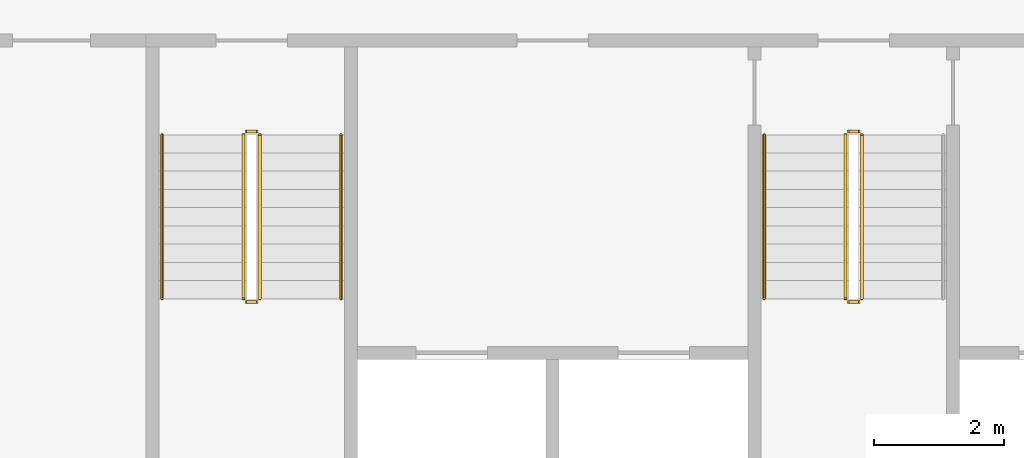
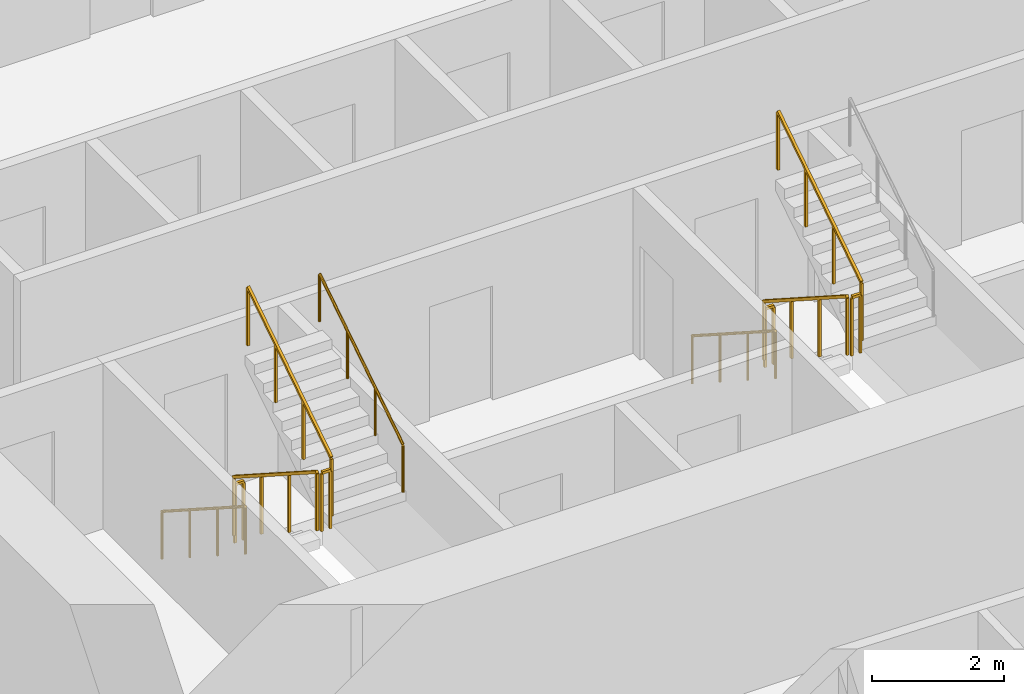
# One storey, part 15 of 18: 11 railings.
"""IFC4 building model written with IfcOpenShell, lengths in metres."""

from ifc_helpers import new_model, si_unit, direction, frame, origin, origin_2d, place, context, subcontext, project, spatial, rectangle, circle, extrude, material, type_object, element, save


model = new_model("IFC4")

# Units and contexts
model_context = context("Model", 3, precision=1e-05, world=origin(), true_north=direction((0.0, 1.0)))
body_context = subcontext(model_context, "Body", "Model", "MODEL_VIEW")
ifc_project = project(units=[si_unit("LENGTHUNIT", "METRE"), si_unit("AREAUNIT", "SQUARE_METRE"), si_unit("VOLUMEUNIT", "CUBIC_METRE"), si_unit("PLANEANGLEUNIT", "RADIAN"), si_unit("MASSUNIT", "GRAM", prefix="KILO")], contexts=[model_context])

# Site, building, storey
site_placement = place(None, origin())
site = spatial("IfcSite", under=ifc_project, at=site_placement, CompositionType="ELEMENT")
building_placement = place(site_placement, origin())
building = spatial("IfcBuilding", under=site, at=building_placement, Name="Mangrove Gate Tower", CompositionType="ELEMENT")
storey_placement = place(building_placement, frame((0.0, 0.0, 67.5)))
storey = spatial("IfcBuildingStorey", under=building, at=storey_placement, Name="L16", CompositionType="ELEMENT", Elevation=67.5)

# Railings
ifc_material_1 = material(Name="Stainless steel 316", Category="steel")
railing_type_1 = type_object("IfcRailingType", Name="Core stair guard 1100", PredefinedType="GUARDRAIL", material=ifc_material_1)
railing_1_placement = place(storey_placement, frame((-9.39990234375, -4.64990234375, 0.179931640625)))
element("IfcRailing", 1, at=railing_1_placement, inside=storey, type_object=railing_type_1, Name="L16 ST1 stair guard 1", PredefinedType="GUARDRAIL", context=body_context, shape_type="SweptSolid", body=[
    extrude(rectangle(XDim=0.048095703125, YDim=0.048095703125, at=origin_2d()), frame((0.0, 0.0, 1.076171875), z_axis=(0.0, -0.841162588446, 0.540782303519), x_axis=(1.0, 0.0, 0.0)), (0.0, 0.0, 1.0), 2.995849609375),
    extrude(rectangle(XDim=0.0419921875, YDim=0.0419921875, at=origin_2d()), origin(), (0.0, 0.0, 1.0), 1.052001953125),
    extrude(rectangle(XDim=0.0419921875, YDim=0.0419921875, at=origin_2d()), frame((0.0, -0.840087890625, 0.5400390625)), (0.0, 0.0, 1.0), 1.052001953125),
    extrude(rectangle(XDim=0.0419921875, YDim=0.0419921875, at=origin_2d()), frame((0.0, -1.679931640625, 1.080078125)), (0.0, 0.0, 1.0), 1.052001953125),
    extrude(rectangle(XDim=0.0419921875, YDim=0.0419921875, at=origin_2d()), frame((0.0, -2.52001953125, 1.6201171875)), (0.0, 0.0, 1.0), 1.052001953125),
])
railing_2_placement = place(storey_placement, frame((-9.35009765625, -7.219970703125, 1.800048828125)))
element("IfcRailing", 2, at=railing_2_placement, inside=storey, type_object=railing_type_1, Name="L16 ST1 stair guard 2", PredefinedType="GUARDRAIL", context=body_context, shape_type="SweptSolid", body=[
    extrude(rectangle(XDim=0.048095703125, YDim=0.048095703125, at=origin_2d()), frame((0.0, 0.0, 1.076171875), z_axis=(1.0, 0.0, 0.0), x_axis=(0.0, 1.0, 0.0)), (0.0, 0.0, 1.0), 0.150146484375),
    extrude(rectangle(XDim=0.0419921875, YDim=0.0419921875, at=origin_2d()), origin(), (0.0, 0.0, 1.0), 1.052001953125),
    extrude(rectangle(XDim=0.0419921875, YDim=0.0419921875, at=origin_2d()), frame((0.150146484375, 0.0, 0.0)), (0.0, 0.0, 1.0), 1.052001953125),
])
railing_3_placement = place(storey_placement, frame((-9.14990234375, -7.169921875, 1.97998046875)))
element("IfcRailing", 3, at=railing_3_placement, inside=storey, type_object=railing_type_1, Name="L16 ST1 stair guard 3", PredefinedType="GUARDRAIL", context=body_context, shape_type="SweptSolid", body=[
    extrude(rectangle(XDim=0.048095703125, YDim=0.048095703125, at=origin_2d()), frame((0.0, 0.0, 1.076171875), z_axis=(0.0, 0.841162588446, 0.540782303519), x_axis=(-1.0, 0.0, 0.0)), (0.0, 0.0, 1.0), 2.995849609375),
    extrude(rectangle(XDim=0.0419921875, YDim=0.0419921875, at=origin_2d()), origin(), (0.0, 0.0, 1.0), 1.052001953125),
    extrude(rectangle(XDim=0.0419921875, YDim=0.0419921875, at=origin_2d()), frame((0.0, 0.840087890625, 0.5400390625)), (0.0, 0.0, 1.0), 1.052001953125),
    extrude(rectangle(XDim=0.0419921875, YDim=0.0419921875, at=origin_2d()), frame((0.0, 1.679931640625, 1.080078125)), (0.0, 0.0, 1.0), 1.052001953125),
    extrude(rectangle(XDim=0.0419921875, YDim=0.0419921875, at=origin_2d()), frame((0.0, 2.52001953125, 1.6201171875)), (0.0, 0.0, 1.0), 1.052001953125),
])
railing_4_placement = place(storey_placement, frame((-9.35009765625, -4.60009765625, 0.0)))
element("IfcRailing", 4, at=railing_4_placement, inside=storey, type_object=railing_type_1, Name="L16 ST1 stair guard 4", PredefinedType="GUARDRAIL", context=body_context, shape_type="SweptSolid", body=[
    extrude(rectangle(XDim=0.048095703125, YDim=0.048095703125, at=origin_2d()), frame((0.0, 0.0, 1.076171875), z_axis=(1.0, 0.0, 0.0), x_axis=(0.0, 1.0, 0.0)), (0.0, 0.0, 1.0), 0.150146484375),
    extrude(rectangle(XDim=0.0419921875, YDim=0.0419921875, at=origin_2d()), origin(), (0.0, 0.0, 1.0), 1.052001953125),
    extrude(rectangle(XDim=0.0419921875, YDim=0.0419921875, at=origin_2d()), frame((0.150146484375, 0.0, 0.0)), (0.0, 0.0, 1.0), 1.052001953125),
])
railing_5_placement = place(storey_placement, frame((-0.14990234375, -4.64990234375, 0.179931640625)))
element("IfcRailing", 5, at=railing_5_placement, inside=storey, type_object=railing_type_1, Name="L16 ST2 stair guard 1", PredefinedType="GUARDRAIL", context=body_context, shape_type="SweptSolid", body=[
    extrude(rectangle(XDim=0.048095703125, YDim=0.048095703125, at=origin_2d()), frame((0.0, 0.0, 1.076171875), z_axis=(0.0, -0.841162588446, 0.540782303519), x_axis=(1.0, 0.0, 0.0)), (0.0, 0.0, 1.0), 2.995849609375),
    extrude(rectangle(XDim=0.0419921875, YDim=0.0419921875, at=origin_2d()), origin(), (0.0, 0.0, 1.0), 1.052001953125),
    extrude(rectangle(XDim=0.0419921875, YDim=0.0419921875, at=origin_2d()), frame((0.0, -0.840087890625, 0.5400390625)), (0.0, 0.0, 1.0), 1.052001953125),
    extrude(rectangle(XDim=0.0419921875, YDim=0.0419921875, at=origin_2d()), frame((0.0, -1.679931640625, 1.080078125)), (0.0, 0.0, 1.0), 1.052001953125),
    extrude(rectangle(XDim=0.0419921875, YDim=0.0419921875, at=origin_2d()), frame((0.0, -2.52001953125, 1.6201171875)), (0.0, 0.0, 1.0), 1.052001953125),
])
railing_6_placement = place(storey_placement, frame((-0.10009765625, -7.219970703125, 1.800048828125)))
element("IfcRailing", 6, at=railing_6_placement, inside=storey, type_object=railing_type_1, Name="L16 ST2 stair guard 2", PredefinedType="GUARDRAIL", context=body_context, shape_type="SweptSolid", body=[
    extrude(rectangle(XDim=0.048095703125, YDim=0.048095703125, at=origin_2d()), frame((0.0, 0.0, 1.076171875), z_axis=(1.0, 0.0, 0.0), x_axis=(0.0, 1.0, 0.0)), (0.0, 0.0, 1.0), 0.150146484375),
    extrude(rectangle(XDim=0.0419921875, YDim=0.0419921875, at=origin_2d()), origin(), (0.0, 0.0, 1.0), 1.052001953125),
    extrude(rectangle(XDim=0.0419921875, YDim=0.0419921875, at=origin_2d()), frame((0.150146484375, 0.0, 0.0)), (0.0, 0.0, 1.0), 1.052001953125),
])
railing_7_placement = place(storey_placement, frame((0.10009765625, -7.169921875, 1.97998046875)))
element("IfcRailing", 7, at=railing_7_placement, inside=storey, type_object=railing_type_1, Name="L16 ST2 stair guard 3", PredefinedType="GUARDRAIL", context=body_context, shape_type="SweptSolid", body=[
    extrude(rectangle(XDim=0.048095703125, YDim=0.048095703125, at=origin_2d()), frame((0.0, 0.0, 1.076171875), z_axis=(0.0, 0.841162588446, 0.540782303519), x_axis=(-1.0, 0.0, 0.0)), (0.0, 0.0, 1.0), 2.995849609375),
    extrude(rectangle(XDim=0.0419921875, YDim=0.0419921875, at=origin_2d()), origin(), (0.0, 0.0, 1.0), 1.052001953125),
    extrude(rectangle(XDim=0.0419921875, YDim=0.0419921875, at=origin_2d()), frame((0.0, 0.840087890625, 0.5400390625)), (0.0, 0.0, 1.0), 1.052001953125),
    extrude(rectangle(XDim=0.0419921875, YDim=0.0419921875, at=origin_2d()), frame((0.0, 1.679931640625, 1.080078125)), (0.0, 0.0, 1.0), 1.052001953125),
    extrude(rectangle(XDim=0.0419921875, YDim=0.0419921875, at=origin_2d()), frame((0.0, 2.52001953125, 1.6201171875)), (0.0, 0.0, 1.0), 1.052001953125),
])
railing_8_placement = place(storey_placement, frame((-0.10009765625, -4.60009765625, 0.0)))
element("IfcRailing", 8, at=railing_8_placement, inside=storey, type_object=railing_type_1, Name="L16 ST2 stair guard 4", PredefinedType="GUARDRAIL", context=body_context, shape_type="SweptSolid", body=[
    extrude(rectangle(XDim=0.048095703125, YDim=0.048095703125, at=origin_2d()), frame((0.0, 0.0, 1.076171875), z_axis=(1.0, 0.0, 0.0), x_axis=(0.0, 1.0, 0.0)), (0.0, 0.0, 1.0), 0.150146484375),
    extrude(rectangle(XDim=0.0419921875, YDim=0.0419921875, at=origin_2d()), origin(), (0.0, 0.0, 1.0), 1.052001953125),
    extrude(rectangle(XDim=0.0419921875, YDim=0.0419921875, at=origin_2d()), frame((0.150146484375, 0.0, 0.0)), (0.0, 0.0, 1.0), 1.052001953125),
])
ifc_material_2 = material(Name="Stainless steel 316", Category="steel")
railing_type_2 = type_object("IfcRailingType", Name="Core stair handrail 900", PredefinedType="HANDRAIL", material=ifc_material_2)
railing_9_placement = place(storey_placement, frame((-10.64990234375, -4.64990234375, 0.179931640625)))
element("IfcRailing", 9, at=railing_9_placement, inside=storey, type_object=railing_type_2, Name="L16 ST1 stair handrail 1", PredefinedType="HANDRAIL", context=body_context, shape_type="SweptSolid", body=[
    extrude(circle(Radius=0.02392578125, at=origin_2d()), frame((0.0, 0.0, 0.8759765625), z_axis=(0.0, -0.841162588446, 0.540782303519), x_axis=(1.0, 0.0, 0.0)), (0.0, 0.0, 1.0), 2.995849609375),
    extrude(circle(Radius=0.02099609375, at=origin_2d()), origin(), (0.0, 0.0, 1.0), 0.851806640625),
    extrude(circle(Radius=0.02099609375, at=origin_2d()), frame((0.0, -0.840087890625, 0.5400390625)), (0.0, 0.0, 1.0), 0.851806640625),
    extrude(circle(Radius=0.02099609375, at=origin_2d()), frame((0.0, -1.679931640625, 1.080078125)), (0.0, 0.0, 1.0), 0.851806640625),
    extrude(circle(Radius=0.02099609375, at=origin_2d()), frame((0.0, -2.52001953125, 1.6201171875)), (0.0, 0.0, 1.0), 0.851806640625),
])
railing_10_placement = place(storey_placement, frame((-7.89990234375, -7.169921875, 1.97998046875)))
element("IfcRailing", 10, at=railing_10_placement, inside=storey, type_object=railing_type_2, Name="L16 ST1 stair handrail 2", PredefinedType="HANDRAIL", context=body_context, shape_type="SweptSolid", body=[
    extrude(circle(Radius=0.02392578125, at=origin_2d()), frame((0.0, 0.0, 0.8759765625), z_axis=(0.0, 0.841162588446, 0.540782303519), x_axis=(-1.0, 0.0, 0.0)), (0.0, 0.0, 1.0), 2.995849609375),
    extrude(circle(Radius=0.02099609375, at=origin_2d()), origin(), (0.0, 0.0, 1.0), 0.851806640625),
    extrude(circle(Radius=0.02099609375, at=origin_2d()), frame((0.0, 0.840087890625, 0.5400390625)), (0.0, 0.0, 1.0), 0.851806640625),
    extrude(circle(Radius=0.02099609375, at=origin_2d()), frame((0.0, 1.679931640625, 1.080078125)), (0.0, 0.0, 1.0), 0.851806640625),
    extrude(circle(Radius=0.02099609375, at=origin_2d()), frame((0.0, 2.52001953125, 1.6201171875)), (0.0, 0.0, 1.0), 0.851806640625),
])
railing_11_placement = place(storey_placement, frame((-1.39990234375, -4.64990234375, 0.179931640625)))
element("IfcRailing", 11, at=railing_11_placement, inside=storey, type_object=railing_type_2, Name="L16 ST2 stair handrail 1", PredefinedType="HANDRAIL", context=body_context, shape_type="SweptSolid", body=[
    extrude(circle(Radius=0.02392578125, at=origin_2d()), frame((0.0, 0.0, 0.8759765625), z_axis=(0.0, -0.841162588446, 0.540782303519), x_axis=(1.0, 0.0, 0.0)), (0.0, 0.0, 1.0), 2.995849609375),
    extrude(circle(Radius=0.02099609375, at=origin_2d()), origin(), (0.0, 0.0, 1.0), 0.851806640625),
    extrude(circle(Radius=0.02099609375, at=origin_2d()), frame((0.0, -0.840087890625, 0.5400390625)), (0.0, 0.0, 1.0), 0.851806640625),
    extrude(circle(Radius=0.02099609375, at=origin_2d()), frame((0.0, -1.679931640625, 1.080078125)), (0.0, 0.0, 1.0), 0.851806640625),
    extrude(circle(Radius=0.02099609375, at=origin_2d()), frame((0.0, -2.52001953125, 1.6201171875)), (0.0, 0.0, 1.0), 0.851806640625),
])

save(model, "model.ifc")
